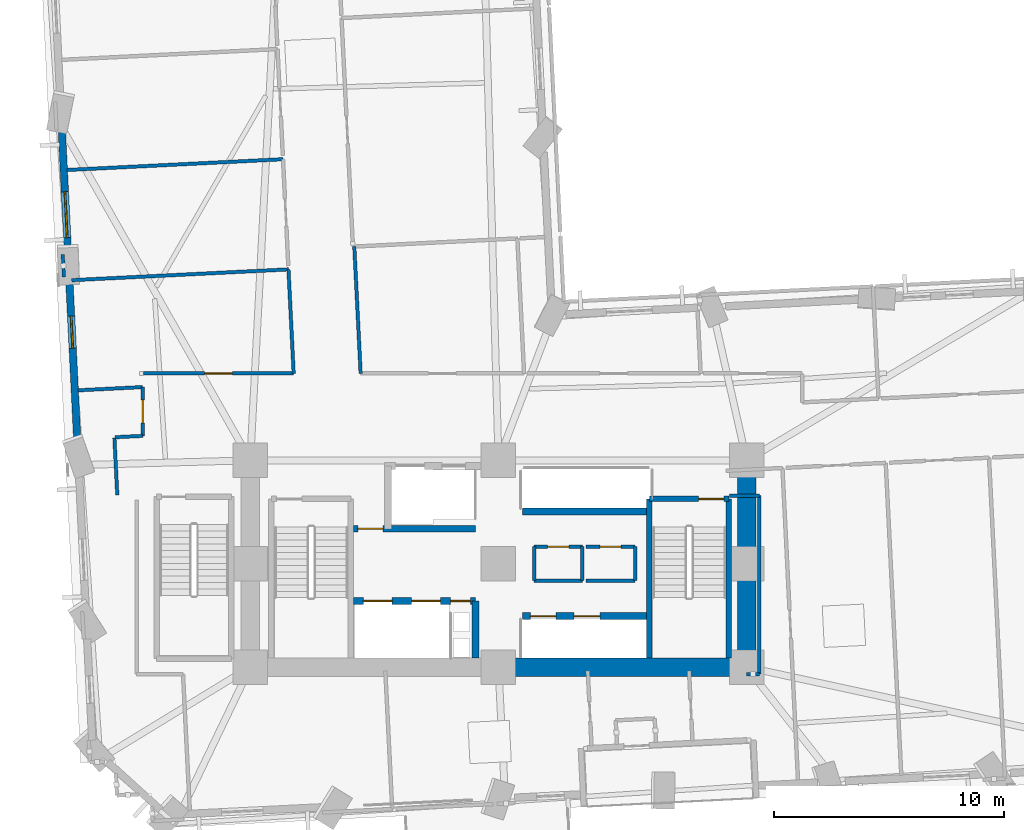
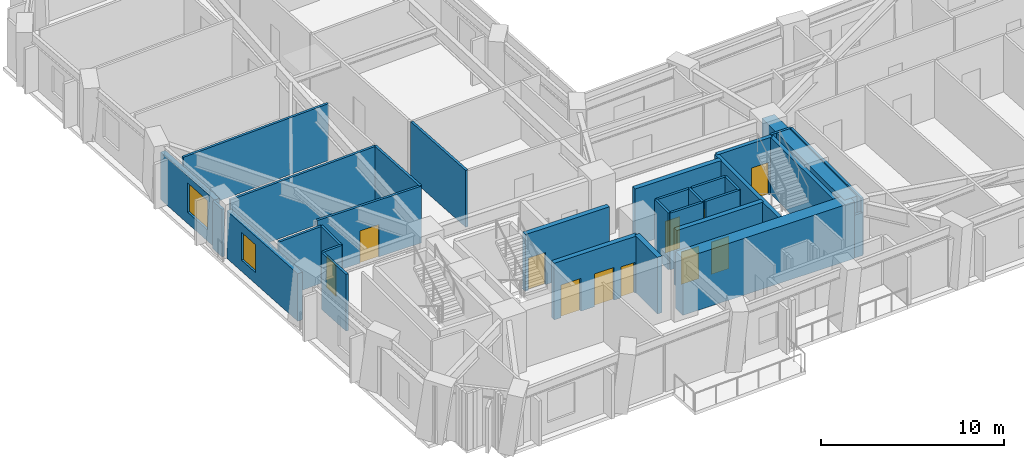
# One storey, part 7 of 15: 32 walls, 11 doors, 2 windows, 13 openings.
"""IFC4 building model written with IfcOpenShell, lengths in metres."""

from ifc_helpers import new_model, si_unit, direction, frame, frame_2d, origin, place, context, subcontext, project, spatial, rectangle, extrude, material, layer, layer_set, type_object, element, fill, save


model = new_model("IFC4")

# Units and contexts
model_context = context("Model", 3, precision=1e-05, world=origin(), true_north=direction((0.0, 1.0)))
body_context = subcontext(model_context, "Body", "Model", "MODEL_VIEW")
ifc_project = project(units=[si_unit("LENGTHUNIT", "METRE"), si_unit("AREAUNIT", "SQUARE_METRE"), si_unit("VOLUMEUNIT", "CUBIC_METRE"), si_unit("PLANEANGLEUNIT", "RADIAN"), si_unit("MASSUNIT", "GRAM", prefix="KILO")], contexts=[model_context])

# Site, building, storey
site_placement = place(None, origin())
site = spatial("IfcSite", under=ifc_project, at=site_placement, CompositionType="ELEMENT")
building_placement = place(site_placement, origin())
building = spatial("IfcBuilding", under=site, at=building_placement, Name="Gaonmaruhae Medical Tower", CompositionType="ELEMENT")
storey_placement = place(building_placement, frame((0.0, 0.0, 35.0)))
storey = spatial("IfcBuildingStorey", under=building, at=storey_placement, Name="L07", CompositionType="ELEMENT", Elevation=35.0)

# Walls
ifc_material_1 = material(Name="Concrete C60/75", Category="concrete")
ifc_layer_1 = layer(ifc_material_1, 0.800048828125)
ifc_layer_set_1 = layer_set([ifc_layer_1], Name="Concrete C60/75")
wall_type_1 = type_object("IfcWallType", Name="CW-800 Lower Core Shear Wall", PredefinedType="SHEAR", material=ifc_layer_set_1)
wall_1_placement = place(storey_placement, frame((24.800048828125, 7.800048828125, 0.0), z_axis=(0.0, 0.0, 1.0), x_axis=(1.0, 0.0, 0.0)))
element("IfcWall", 1, at=wall_1_placement, inside=storey, type_object=wall_type_1, Name="L07 Core Shear Wall CSW-S2", PredefinedType="SHEAR", context=body_context, shape_type="SweptSolid", body=[
    extrude(rectangle(XDim=10.800048828125, YDim=0.800048828125, at=frame_2d((5.39990234375, 0.0))), origin(), (0.0, 0.0, 1.0), 3.780029296875),
])
wall_2_placement = place(storey_placement, frame((35.60009765625, 7.800048828125, 0.0), z_axis=(0.0, 0.0, 1.0), x_axis=(0.0, 1.0, 0.0)))
element("IfcWall", 2, at=wall_2_placement, inside=storey, type_object=wall_type_1, Name="L07 Core Shear Wall CSW-E1", PredefinedType="SHEAR", context=body_context, shape_type="SweptSolid", body=[
    extrude(rectangle(XDim=9.0, YDim=0.800048828125, at=frame_2d((4.5, 0.0))), origin(), (0.0, 0.0, 1.0), 3.780029296875),
])

# Wall, opening, window
ifc_material_2 = material(Name="Precast concrete C45/55", Category="concrete")
ifc_layer_2 = layer(ifc_material_2, 0.320068359375)
ifc_layer_set_2 = layer_set([ifc_layer_2], Name="Precast concrete C45/55")
wall_type_2 = type_object("IfcWallType", Name="EW-320 Lower Precast Masonry-Frame Facade Wall", PredefinedType="SOLIDWALL", material=ifc_layer_set_2)
wall_3_placement = place(storey_placement, frame((6.068115234375, 25.76220703125, 0.0), z_axis=(0.0, 0.0, 1.0), x_axis=(-0.049742813076, 0.998762060026, 0.0)))
wall_3 = element("IfcWall", 3, at=wall_3_placement, inside=storey, type_object=wall_type_2, Name="L07 Precast Masonry-Frame Wall W03-W04", PredefinedType="SOLIDWALL", context=body_context, shape_type="SweptSolid", body=[
    extrude(rectangle(XDim=5.438232421875, YDim=0.320068359375, at=frame_2d((2.71923828125, 0.0))), origin(), (0.0, 0.0, 1.0), 3.1650390625),
])
opening_1_placement = place(wall_3_placement, frame((0.72998046875, 0.0, 0.75)))
opening_1 = element("IfcOpeningElement", 4, at=opening_1_placement, cuts=wall_3, Name="Opening WN-02", PredefinedType="OPENING", context=body_context, shape_type="SweptSolid", body=[
    extrude(rectangle(XDim=2.0, YDim=1.949951171875, at=frame_2d((1.0, 0.97509765625))), frame((0.0, 0.169921875, 0.0), z_axis=(0.0, -1.0, 0.0), x_axis=(1.0, 0.0, 0.0)), (0.0, 0.0, 1.0), 0.340087890625),
])
ifc_material_3 = material(Name="Anodised aluminium and Low-E double glazing", Category="aluminium")
window_type_1 = type_object("IfcWindowType", Name="WN-02 Double-Bed Ward Punched Window 2000x1950", PartitioningType="SINGLE_PANEL", PredefinedType="WINDOW", material=ifc_material_3)
window_1_placement = place(opening_1_placement, origin())
window_1 = element("IfcWindow", 5, at=window_1_placement, inside=storey, type_object=window_type_1, Name="L07 Modular Facade Window W03", OverallHeight=1.949951171875, OverallWidth=2.0, PartitioningType="SINGLE_PANEL", PredefinedType="WINDOW", context=body_context, shape_type="SweptSolid", body=[
    extrude(rectangle(XDim=2.0, YDim=1.949951171875, at=frame_2d((1.0, 0.97509765625))), frame((0.0, 0.030029296875, 0.0), z_axis=(0.0, -1.0, 0.0), x_axis=(1.0, 0.0, 0.0)), (0.0, 0.0, 1.0), 0.06005859375),
])
fill(opening_1, window_1)

wall_4_placement = place(storey_placement, frame((6.4833984375, 17.4208984375, 0.0), z_axis=(0.0, 0.0, 1.0), x_axis=(-0.049743098397, 0.998762045816, 0.0)))
wall_4 = element("IfcWall", 6, at=wall_4_placement, inside=storey, type_object=wall_type_2, Name="L07 Precast Masonry-Frame Wall W04-W05", PredefinedType="SOLIDWALL", context=body_context, shape_type="SweptSolid", body=[
    extrude(rectangle(XDim=7.13623046875, YDim=0.320068359375, at=frame_2d((3.568115234375, 0.0))), origin(), (0.0, 0.0, 1.0), 3.1650390625),
])
opening_2_placement = place(wall_4_placement, frame((4.263916015625, 0.0, 0.75)))
opening_2 = element("IfcOpeningElement", 7, at=opening_2_placement, cuts=wall_4, Name="Opening WN-03", PredefinedType="OPENING", context=body_context, shape_type="SweptSolid", body=[
    extrude(rectangle(XDim=1.39990234375, YDim=1.85009765625, at=frame_2d((0.699951171875, 0.925048828125))), frame((0.0, 0.169921875, 0.0), z_axis=(0.0, -1.0, 0.0), x_axis=(1.0, 0.0, 0.0)), (0.0, 0.0, 1.0), 0.340087890625),
])
window_type_2 = type_object("IfcWindowType", Name="WN-03 Isolation Ward Punched Window 1400x1850", PartitioningType="SINGLE_PANEL", PredefinedType="WINDOW", material=ifc_material_3)
window_2_placement = place(opening_2_placement, origin())
window_2 = element("IfcWindow", 8, at=window_2_placement, inside=storey, type_object=window_type_2, Name="L07 Modular Facade Window W04", OverallHeight=1.85009765625, OverallWidth=1.39990234375, PartitioningType="SINGLE_PANEL", PredefinedType="WINDOW", context=body_context, shape_type="SweptSolid", body=[
    extrude(rectangle(XDim=1.39990234375, YDim=1.85009765625, at=frame_2d((0.699951171875, 0.925048828125))), frame((0.0, 0.030029296875, 0.0), z_axis=(0.0, -1.0, 0.0), x_axis=(1.0, 0.0, 0.0)), (0.0, 0.0, 1.0), 0.06005859375),
])
fill(opening_2, window_2)

# Wall
ifc_material_4 = material(Name="Gypsum board partition", Category="gypsum")
ifc_layer_3 = layer(ifc_material_4, 0.14990234375)
ifc_layer_set_3 = layer_set([ifc_layer_3], Name="Gypsum board partition")
wall_type_3 = type_object("IfcWallType", Name="PW-150 Rated Clinical Corridor Partition", PredefinedType="PARTITIONING", material=ifc_layer_set_3)
wall_5_placement = place(storey_placement, frame((26.35009765625, 11.56005859375, 0.0), z_axis=(0.0, 0.0, 1.0), x_axis=(0.0, 1.0, 0.0)))
element("IfcWall", 9, at=wall_5_placement, inside=storey, type_object=wall_type_3, Name="L07 Interior Partition L07-CS1-1", PredefinedType="PARTITIONING", context=body_context, shape_type="SweptSolid", body=[
    extrude(rectangle(XDim=1.47998046875, YDim=0.14990234375, at=frame_2d((0.739990234375, 0.0))), origin(), (0.0, 0.0, 1.0), 3.780029296875),
])

# Wall, opening, door
wall_6_placement = place(storey_placement, frame((26.35009765625, 13.0400390625, 0.0), z_axis=(0.0, 0.0, 1.0), x_axis=(1.0, 0.0, 0.0)))
wall_6 = element("IfcWall", 10, at=wall_6_placement, inside=storey, type_object=wall_type_3, Name="L07 Interior Partition L07-CS1-2", PredefinedType="PARTITIONING", context=body_context, shape_type="SweptSolid", body=[
    extrude(rectangle(XDim=2.099853515625, YDim=0.14990234375, at=frame_2d((1.0498046875, 0.0))), origin(), (0.0, 0.0, 1.0), 3.780029296875),
])
opening_3_placement = place(wall_6_placement, frame((0.590087890625, 0.0, 0.0)))
opening_3 = element("IfcOpeningElement", 11, at=opening_3_placement, cuts=wall_6, Name="Opening UD-01", PredefinedType="OPENING", context=body_context, shape_type="SweptSolid", body=[
    extrude(rectangle(XDim=0.919921875, YDim=2.10009765625, at=frame_2d((0.4599609375, 1.050048828125))), frame((0.0, 0.0849609375, 0.0), z_axis=(0.0, -1.0, 0.0), x_axis=(1.0, 0.0, 0.0)), (0.0, 0.0, 1.0), 0.169921875),
])
ifc_material_5 = material(Name="Powder-coated steel utility door", Category="steel")
door_type_1 = type_object("IfcDoorType", Name="UD-01 Toilet, Utility & Housekeeping Door 920x2100", OperationType="NOTDEFINED", PredefinedType="DOOR", material=ifc_material_5)
door_1_placement = place(opening_3_placement, origin())
door_1 = element("IfcDoor", 12, at=door_1_placement, inside=storey, type_object=door_type_1, Name="L07 Accessible Staff Toilet Door", OperationType="SINGLE_SWING_LEFT", OverallHeight=2.10009765625, OverallWidth=0.919921875, PredefinedType="DOOR", context=body_context, shape_type="SweptSolid", body=[
    extrude(rectangle(XDim=0.919921875, YDim=2.10009765625, at=frame_2d((0.4599609375, 1.050048828125))), frame((0.0, 0.02490234375, 0.0), z_axis=(0.0, -1.0, 0.0), x_axis=(1.0, 0.0, 0.0)), (0.0, 0.0, 1.0), 0.050048828125),
])
fill(opening_3, door_1)

# Walls
wall_7_placement = place(storey_placement, frame((28.449951171875, 13.0400390625, 0.0), z_axis=(0.0, 0.0, 1.0), x_axis=(0.0, -1.0, 0.0)))
element("IfcWall", 13, at=wall_7_placement, inside=storey, type_object=wall_type_3, Name="L07 Interior Partition L07-CS1-3", PredefinedType="PARTITIONING", context=body_context, shape_type="SweptSolid", body=[
    extrude(rectangle(XDim=1.47998046875, YDim=0.14990234375, at=frame_2d((0.739990234375, 0.0))), origin(), (0.0, 0.0, 1.0), 3.780029296875),
])
wall_8_placement = place(storey_placement, frame((28.449951171875, 11.56005859375, 0.0), z_axis=(0.0, 0.0, 1.0), x_axis=(-1.0, 0.0, 0.0)))
element("IfcWall", 14, at=wall_8_placement, inside=storey, type_object=wall_type_3, Name="L07 Interior Partition L07-CS1-4", PredefinedType="PARTITIONING", context=body_context, shape_type="SweptSolid", body=[
    extrude(rectangle(XDim=2.099853515625, YDim=0.14990234375, at=frame_2d((1.0498046875, 0.0))), origin(), (0.0, 0.0, 1.0), 3.780029296875),
])

# Wall, opening, door
wall_9_placement = place(storey_placement, frame((28.60009765625, 13.0400390625, 0.0), z_axis=(0.0, 0.0, 1.0), x_axis=(1.0, 0.0, 0.0)))
wall_9 = element("IfcWall", 15, at=wall_9_placement, inside=storey, type_object=wall_type_3, Name="L07 Interior Partition L07-CS2-5", PredefinedType="PARTITIONING", context=body_context, shape_type="SweptSolid", body=[
    extrude(rectangle(XDim=2.14990234375, YDim=0.14990234375, at=frame_2d((1.074951171875, 0.0))), origin(), (0.0, 0.0, 1.0), 3.780029296875),
])
opening_4_placement = place(wall_9_placement, frame((0.614990234375, 0.0, 0.0)))
opening_4 = element("IfcOpeningElement", 16, at=opening_4_placement, cuts=wall_9, Name="Opening UD-01", PredefinedType="OPENING", context=body_context, shape_type="SweptSolid", body=[
    extrude(rectangle(XDim=0.919921875, YDim=2.10009765625, at=frame_2d((0.4599609375, 1.050048828125))), frame((0.0, 0.0849609375, 0.0), z_axis=(0.0, -1.0, 0.0), x_axis=(1.0, 0.0, 0.0)), (0.0, 0.0, 1.0), 0.169921875),
])
door_2_placement = place(opening_4_placement, origin())
door_2 = element("IfcDoor", 17, at=door_2_placement, inside=storey, type_object=door_type_1, Name="L07 Biomedical Telemetry Closet Door", OperationType="SINGLE_SWING_RIGHT", OverallHeight=2.10009765625, OverallWidth=0.919921875, PredefinedType="DOOR", context=body_context, shape_type="SweptSolid", body=[
    extrude(rectangle(XDim=0.919921875, YDim=2.10009765625, at=frame_2d((0.4599609375, 1.050048828125))), frame((0.0, 0.02490234375, 0.0), z_axis=(0.0, -1.0, 0.0), x_axis=(1.0, 0.0, 0.0)), (0.0, 0.0, 1.0), 0.050048828125),
])
fill(opening_4, door_2)

# Walls
wall_10_placement = place(storey_placement, frame((30.75, 13.0400390625, 0.0), z_axis=(0.0, 0.0, 1.0), x_axis=(0.0, -1.0, 0.0)))
element("IfcWall", 18, at=wall_10_placement, inside=storey, type_object=wall_type_3, Name="L07 Interior Partition L07-CS2-6", PredefinedType="PARTITIONING", context=body_context, shape_type="SweptSolid", body=[
    extrude(rectangle(XDim=1.47998046875, YDim=0.14990234375, at=frame_2d((0.739990234375, 0.0))), origin(), (0.0, 0.0, 1.0), 3.780029296875),
])
wall_11_placement = place(storey_placement, frame((30.75, 11.56005859375, 0.0), z_axis=(0.0, 0.0, 1.0), x_axis=(-1.0, 0.0, 0.0)))
element("IfcWall", 19, at=wall_11_placement, inside=storey, type_object=wall_type_3, Name="L07 Interior Partition L07-CS2-7", PredefinedType="PARTITIONING", context=body_context, shape_type="SweptSolid", body=[
    extrude(rectangle(XDim=2.14990234375, YDim=0.14990234375, at=frame_2d((1.074951171875, 0.0))), origin(), (0.0, 0.0, 1.0), 3.780029296875),
])
wall_12_placement = place(storey_placement, frame((35.60009765625, 7.5, 0.0), z_axis=(0.0, 0.0, 1.0), x_axis=(1.0, 0.0, 0.0)))
element("IfcWall", 20, at=wall_12_placement, inside=storey, type_object=wall_type_3, Name="L07 Interior Partition L07-TRM07-30", PredefinedType="PARTITIONING", context=body_context, shape_type="SweptSolid", body=[
    extrude(rectangle(XDim=0.5498046875, YDim=0.14990234375, at=frame_2d((0.27490234375, 0.0))), origin(), (0.0, 0.0, 1.0), 2.864990234375),
])
wall_13_placement = place(storey_placement, frame((36.14990234375, 7.5, 0.0), z_axis=(0.0, 0.0, 1.0), x_axis=(0.0, 1.0, 0.0)))
element("IfcWall", 21, at=wall_13_placement, inside=storey, type_object=wall_type_3, Name="L07 Interior Partition L07-TRM07-31", PredefinedType="PARTITIONING", context=body_context, shape_type="SweptSolid", body=[
    extrude(rectangle(XDim=7.760009765625, YDim=0.14990234375, at=frame_2d((3.8798828125, 0.0))), origin(), (0.0, 0.0, 1.0), 3.780029296875),
])
wall_14_placement = place(storey_placement, frame((36.14990234375, 15.260009765625, 0.0), z_axis=(0.0, 0.0, 1.0), x_axis=(-1.0, 0.0, 0.0)))
element("IfcWall", 22, at=wall_14_placement, inside=storey, type_object=wall_type_3, Name="L07 Interior Partition L07-TRM07-32", PredefinedType="PARTITIONING", context=body_context, shape_type="SweptSolid", body=[
    extrude(rectangle(XDim=1.2998046875, YDim=0.14990234375, at=frame_2d((0.64990234375, 0.0))), origin(), (0.0, 0.0, 1.0), 3.780029296875),
])
wall_15_placement = place(storey_placement, frame((8.087890625, 17.77294921875, 0.0), z_axis=(0.0, 0.0, 1.0), x_axis=(0.049805589203, -0.998758931517, 0.0)))
element("IfcWall", 23, at=wall_15_placement, inside=storey, type_object=wall_type_3, Name="L07 Interior Partition L07-WOF13-50", PredefinedType="PARTITIONING", context=body_context, shape_type="SweptSolid", body=[
    extrude(rectangle(XDim=2.490234375, YDim=0.14990234375, at=frame_2d((1.2451171875, 0.0))), origin(), (0.0, 0.0, 1.0), 3.780029296875),
])
wall_16_placement = place(storey_placement, frame((6.498046875, 19.845947265625, 0.0), z_axis=(0.0, 0.0, 1.0), x_axis=(0.998752123395, 0.049941926406, 0.0)))
element("IfcWall", 24, at=wall_16_placement, inside=storey, type_object=wall_type_3, Name="L07 Interior Partition L07-WOF13-52", PredefinedType="PARTITIONING", context=body_context, shape_type="SweptSolid", body=[
    extrude(rectangle(XDim=2.825439453125, YDim=0.14990234375, at=frame_2d((1.41259765625, 0.0))), origin(), (0.0, 0.0, 1.0), 3.780029296875),
])

# Wall, opening, door
wall_17_placement = place(storey_placement, frame((9.320068359375, 19.987060546875, 0.0), z_axis=(0.0, 0.0, 1.0), x_axis=(0.0, -1.0, 0.0)))
wall_17 = element("IfcWall", 25, at=wall_17_placement, inside=storey, type_object=wall_type_3, Name="L07 Interior Partition L07-WOF13-53", PredefinedType="PARTITIONING", context=body_context, shape_type="SweptSolid", body=[
    extrude(rectangle(XDim=2.123046875, YDim=0.14990234375, at=frame_2d((1.0615234375, 0.0))), origin(), (0.0, 0.0, 1.0), 3.780029296875),
])
opening_5_placement = place(wall_17_placement, frame((0.5615234375, 0.0, 0.0)))
opening_5 = element("IfcOpeningElement", 26, at=opening_5_placement, cuts=wall_17, Name="Opening CD-01", PredefinedType="OPENING", context=body_context, shape_type="SweptSolid", body=[
    extrude(rectangle(XDim=1.0, YDim=2.1201171875, at=frame_2d((0.5, 1.06005859375))), frame((0.0, 0.0849609375, 0.0), z_axis=(0.0, -1.0, 0.0), x_axis=(1.0, 0.0, 0.0)), (0.0, 0.0, 1.0), 0.169921875),
])
ifc_material_6 = material(Name="Antimicrobial laminate timber fire door", Category="wood")
door_type_2 = type_object("IfcDoorType", Name="CD-01 Consultation & Physician Office Door 1000x2120", OperationType="NOTDEFINED", PredefinedType="DOOR", material=ifc_material_6)
door_3_placement = place(opening_5_placement, origin())
door_3 = element("IfcDoor", 27, at=door_3_placement, inside=storey, type_object=door_type_2, Name="L07 Ward Physician Reporting Office Door", OperationType="SINGLE_SWING_LEFT", OverallHeight=2.1201171875, OverallWidth=1.0, PredefinedType="DOOR", context=body_context, shape_type="SweptSolid", body=[
    extrude(rectangle(XDim=1.0, YDim=2.1201171875, at=frame_2d((0.5, 1.06005859375))), frame((0.0, 0.02490234375, 0.0), z_axis=(0.0, -1.0, 0.0), x_axis=(1.0, 0.0, 0.0)), (0.0, 0.0, 1.0), 0.050048828125),
])
fill(opening_5, door_3)

# Walls
wall_18_placement = place(storey_placement, frame((9.320068359375, 17.864013671875, 0.0), z_axis=(0.0, 0.0, 1.0), x_axis=(-0.998764400305, -0.049695801471, 0.0)))
element("IfcWall", 28, at=wall_18_placement, inside=storey, type_object=wall_type_3, Name="L07 Interior Partition L07-WOF13-54", PredefinedType="PARTITIONING", context=body_context, shape_type="SweptSolid", body=[
    extrude(rectangle(XDim=1.20849609375, YDim=0.14990234375, at=frame_2d((0.604248046875, 0.0))), origin(), (0.0, 0.0, 1.0), 3.780029296875),
])
wall_19_placement = place(storey_placement, frame((6.22900390625, 24.638916015625, 0.0), z_axis=(0.0, 0.0, 1.0), x_axis=(0.998761218764, 0.049759701489, 0.0)))
element("IfcWall", 29, at=wall_19_placement, inside=storey, type_object=wall_type_3, Name="L07 Interior Partition L07-WOF14-55", PredefinedType="PARTITIONING", context=body_context, shape_type="SweptSolid", body=[
    extrude(rectangle(XDim=9.44482421875, YDim=0.14990234375, at=frame_2d((4.722412109375, 0.0))), origin(), (0.0, 0.0, 1.0), 3.780029296875),
])
wall_20_placement = place(storey_placement, frame((15.662109375, 25.10888671875, 0.0), z_axis=(0.0, 0.0, 1.0), x_axis=(0.049803348518, -0.998759043251, 0.0)))
element("IfcWall", 30, at=wall_20_placement, inside=storey, type_object=wall_type_3, Name="L07 Interior Partition L07-WOF14-56", PredefinedType="PARTITIONING", context=body_context, shape_type="SweptSolid", body=[
    extrude(rectangle(XDim=4.534423828125, YDim=0.14990234375, at=frame_2d((2.26708984375, 0.0))), origin(), (0.0, 0.0, 1.0), 3.780029296875),
])

# Wall, opening, door
wall_21_placement = place(storey_placement, frame((15.887939453125, 20.580078125, 0.0), z_axis=(0.0, 0.0, 1.0), x_axis=(-1.0, 0.0, 0.0)))
wall_21 = element("IfcWall", 31, at=wall_21_placement, inside=storey, type_object=wall_type_3, Name="L07 Interior Partition L07-WOF14-57", PredefinedType="PARTITIONING", context=body_context, shape_type="SweptSolid", body=[
    extrude(rectangle(XDim=6.541015625, YDim=0.14990234375, at=frame_2d((3.2705078125, 0.0))), origin(), (0.0, 0.0, 1.0), 3.780029296875),
])
opening_6_placement = place(wall_21_placement, frame((2.67041015625, 0.0, 0.0)))
opening_6 = element("IfcOpeningElement", 32, at=opening_6_placement, cuts=wall_21, Name="Opening CD-02", PredefinedType="OPENING", context=body_context, shape_type="SweptSolid", body=[
    extrude(rectangle(XDim=1.199951171875, YDim=2.14990234375, at=frame_2d((0.60009765625, 1.074951171875))), frame((0.0, 0.0849609375, 0.0), z_axis=(0.0, -1.0, 0.0), x_axis=(1.0, 0.0, 0.0)), (0.0, 0.0, 1.0), 0.169921875),
])
door_type_3 = type_object("IfcDoorType", Name="CD-02 Clinical Treatment & Procedure Door 1200x2150", OperationType="NOTDEFINED", PredefinedType="DOOR", material=ifc_material_6)
door_4_placement = place(opening_6_placement, origin())
door_4 = element("IfcDoor", 33, at=door_4_placement, inside=storey, type_object=door_type_3, Name="L07 Ward Physician Reporting Office Door", OperationType="SINGLE_SWING_RIGHT", OverallHeight=2.14990234375, OverallWidth=1.199951171875, PredefinedType="DOOR", context=body_context, shape_type="SweptSolid", body=[
    extrude(rectangle(XDim=1.199951171875, YDim=2.14990234375, at=frame_2d((0.60009765625, 1.074951171875))), frame((0.0, 0.02490234375, 0.0), z_axis=(0.0, -1.0, 0.0), x_axis=(1.0, 0.0, 0.0)), (0.0, 0.0, 1.0), 0.050048828125),
])
fill(opening_6, door_4)

# Walls
wall_22_placement = place(storey_placement, frame((6.02001953125, 29.43408203125, 0.0), z_axis=(0.0, 0.0, 1.0), x_axis=(0.998758732093, 0.049809588108, 0.0)))
element("IfcWall", 34, at=wall_22_placement, inside=storey, type_object=wall_type_3, Name="L07 Interior Partition L07-WOF15-58", PredefinedType="PARTITIONING", context=body_context, shape_type="SweptSolid", body=[
    extrude(rectangle(XDim=9.415771484375, YDim=0.14990234375, at=frame_2d((4.7080078125, 0.0))), origin(), (0.0, 0.0, 1.0), 3.780029296875),
])
wall_23_placement = place(storey_placement, frame((5.886962890625, 24.781982421875, 0.0), z_axis=(0.0, 0.0, 1.0), x_axis=(-0.049322612311, 0.99878289929, 0.0)))
element("IfcWall", 35, at=wall_23_placement, inside=storey, type_object=wall_type_3, Name="L07 Interior Partition L07-WOF15-60", PredefinedType="PARTITIONING", context=body_context, shape_type="SweptSolid", body=[
    extrude(rectangle(XDim=0.97021484375, YDim=0.14990234375, at=frame_2d((0.485107421875, 0.0))), origin(), (0.0, 0.0, 1.0), 3.1650390625),
])
wall_24_placement = place(storey_placement, frame((18.802001953125, 20.580078125, 0.0), z_axis=(0.0, 0.0, 1.0), x_axis=(-0.049721781713, 0.99876310726, 0.0)))
element("IfcWall", 36, at=wall_24_placement, inside=storey, type_object=wall_type_3, Name="L07 Interior Partition L07-IE01-78", PredefinedType="PARTITIONING", context=body_context, shape_type="SweptSolid", body=[
    extrude(rectangle(XDim=5.52880859375, YDim=0.14990234375, at=frame_2d((2.764404296875, 0.0))), origin(), (0.0, 0.0, 1.0), 3.780029296875),
])

# Wall, opening, door
ifc_material_7 = material(Name="Concrete C50/60", Category="concrete")
ifc_layer_4 = layer(ifc_material_7, 0.239990234375)
ifc_layer_set_4 = layer_set([ifc_layer_4], Name="Concrete C50/60")
wall_type_4 = type_object("IfcWallType", Name="SW-240 Dogleg Stair Tight Shaft Wall", PredefinedType="SOLIDWALL", material=ifc_layer_set_4)
wall_25_placement = place(storey_placement, frame((31.3701171875, 15.1201171875, 0.0), z_axis=(0.0, 0.0, 1.0), x_axis=(1.0, 0.0, 0.0)))
wall_25 = element("IfcWall", 37, at=wall_25_placement, inside=storey, type_object=wall_type_4, Name="L07 ST-02 Stair Shaft Wall SHW-ST-02-N", PredefinedType="SOLIDWALL", context=body_context, shape_type="SweptSolid", body=[
    extrude(rectangle(XDim=3.4599609375, YDim=0.239990234375, at=frame_2d((1.72998046875, 0.0))), origin(), (0.0, 0.0, 1.0), 3.780029296875),
])
opening_7_placement = place(wall_25_placement, frame((2.139892578125, 0.0, 0.0)))
opening_7 = element("IfcOpeningElement", 38, at=opening_7_placement, cuts=wall_25, Name="Opening FD-01", PredefinedType="OPENING", context=body_context, shape_type="SweptSolid", body=[
    extrude(rectangle(XDim=1.10009765625, YDim=2.14990234375, at=frame_2d((0.550048828125, 1.074951171875))), frame((0.0, 0.1298828125, 0.0), z_axis=(0.0, -1.0, 0.0), x_axis=(1.0, 0.0, 0.0)), (0.0, 0.0, 1.0), 0.260009765625),
])
ifc_material_8 = material(Name="Powder-coated steel fire door", Category="steel")
door_type_4 = type_object("IfcDoorType", Name="FD-01 Escape Stair Protected Fire Door 1100x2150", OperationType="NOTDEFINED", PredefinedType="DOOR", material=ifc_material_8)
door_5_placement = place(opening_7_placement, origin())
door_5 = element("IfcDoor", 39, at=door_5_placement, inside=storey, type_object=door_type_4, Name="L07 ST-02 Protected Escape Stair Door", OperationType="SINGLE_SWING_LEFT", OverallHeight=2.14990234375, OverallWidth=1.10009765625, PredefinedType="DOOR", context=body_context, shape_type="SweptSolid", body=[
    extrude(rectangle(XDim=1.10009765625, YDim=2.14990234375, at=frame_2d((0.550048828125, 1.074951171875))), frame((0.0, 0.02490234375, 0.0), z_axis=(0.0, -1.0, 0.0), x_axis=(1.0, 0.0, 0.0)), (0.0, 0.0, 1.0), 0.050048828125),
])
fill(opening_7, door_5)

# Walls
for number, where, z_axis, x_axis, name in (
    (40, (34.830078125, 15.1201171875, 0.0), (0.0, 0.0, 1.0), (0.0, -1.0, 0.0), "L07 ST-02 Stair Shaft Wall SHW-ST-02-E"),
    (41, (31.3701171875, 8.199951171875, 0.0), (0.0, 0.0, 1.0), (0.0, 1.0, 0.0), "L07 ST-02 Stair Shaft Wall SHW-ST-02-W"),
):
    element("IfcWall", number, at=place(storey_placement, frame(where, z_axis=z_axis, x_axis=x_axis)), inside=storey, type_object=wall_type_4, Name=name, PredefinedType="SOLIDWALL", context=body_context, shape_type="SweptSolid", body=[
        extrude(rectangle(XDim=6.920166015625, YDim=0.239990234375, at=frame_2d((3.4599609375, 0.0))), origin(), (0.0, 0.0, 1.0), 3.780029296875),
    ])

# Wall, openings, doors
ifc_layer_5 = layer(ifc_material_7, 0.300048828125)
ifc_layer_set_5 = layer_set([ifc_layer_5], Name="Concrete C50/60")
wall_type_5 = type_object("IfcWallType", Name="SW-300 Stair & Lift Hoistway Shaft Wall", PredefinedType="SOLIDWALL", material=ifc_layer_set_5)
wall_26_placement = place(storey_placement, frame((18.5, 10.679931640625, 0.0), z_axis=(0.0, 0.0, 1.0), x_axis=(1.0, 0.0, 0.0)))
wall_26 = element("IfcWall", 42, at=wall_26_placement, inside=storey, type_object=wall_type_5, Name="L07 Shaft Enclosure Wall SHW-FFN", PredefinedType="SOLIDWALL", context=body_context, shape_type="SweptSolid", body=[
    extrude(rectangle(XDim=5.300048828125, YDim=0.300048828125, at=frame_2d((2.64990234375, 0.0))), origin(), (0.0, 0.0, 1.0), 3.780029296875),
])
opening_8_placement = place(wall_26_placement, frame((4.219970703125, 0.0, 0.0)))
opening_8 = element("IfcOpeningElement", 43, at=opening_8_placement, cuts=wall_26, Name="Opening AD-01", PredefinedType="OPENING", context=body_context, shape_type="SweptSolid", body=[
    extrude(rectangle(XDim=0.860107421875, YDim=2.06005859375, at=frame_2d((0.43017578125, 1.030029296875))), frame((0.0, 0.16015625, 0.0), z_axis=(0.0, -1.0, 0.0), x_axis=(1.0, 0.0, 0.0)), (0.0, 0.0, 1.0), 0.320068359375),
])
opening_9_placement = place(wall_26_placement, frame((0.425048828125, 0.0, 0.0)))
opening_9 = element("IfcOpeningElement", 44, at=opening_9_placement, cuts=wall_26, Name="Opening LD-F1", PredefinedType="OPENING", context=body_context, shape_type="SweptSolid", body=[
    extrude(rectangle(XDim=1.25, YDim=2.179931640625, at=frame_2d((0.625, 1.08984375))), frame((0.0, 0.16015625, 0.0), z_axis=(0.0, -1.0, 0.0), x_axis=(1.0, 0.0, 0.0)), (0.0, 0.0, 1.0), 0.320068359375),
])
opening_10_placement = place(wall_26_placement, frame((2.52490234375, 0.0, 0.0)))
opening_10 = element("IfcOpeningElement", 45, at=opening_10_placement, cuts=wall_26, Name="Opening LD-F1", PredefinedType="OPENING", context=body_context, shape_type="SweptSolid", body=[
    extrude(rectangle(XDim=1.25, YDim=2.179931640625, at=frame_2d((0.625, 1.08984375))), frame((0.0, 0.16015625, 0.0), z_axis=(0.0, -1.0, 0.0), x_axis=(1.0, 0.0, 0.0)), (0.0, 0.0, 1.0), 0.320068359375),
])
ifc_material_9 = material(Name="Powder-coated steel access door", Category="steel")
door_type_5 = type_object("IfcDoorType", Name="AD-01 Riser & Closet Access Fire Door 860x2060", OperationType="NOTDEFINED", PredefinedType="DOOR", material=ifc_material_9)
door_6_placement = place(opening_8_placement, origin())
door_6 = element("IfcDoor", 46, at=door_6_placement, inside=storey, type_object=door_type_5, Name="L07 Medical Gas and MEP Riser Access Door", OperationType="SINGLE_SWING_RIGHT", OverallHeight=2.06005859375, OverallWidth=0.860107421875, PredefinedType="DOOR", context=body_context, shape_type="SweptSolid", body=[
    extrude(rectangle(XDim=0.860107421875, YDim=2.06005859375, at=frame_2d((0.43017578125, 1.030029296875))), frame((0.0, 0.02490234375, 0.0), z_axis=(0.0, -1.0, 0.0), x_axis=(1.0, 0.0, 0.0)), (0.0, 0.0, 1.0), 0.050048828125),
])
fill(opening_8, door_6)
ifc_material_10 = material(Name="Brushed stainless steel 316L landing door", Category="steel")
door_type_6 = type_object("IfcDoorType", Name="LD-F1 Firefighting & Bed Lift Sliding Landing Door 1250x2180", OperationType="NOTDEFINED", PredefinedType="DOOR", material=ifc_material_10)
door_7_placement = place(opening_9_placement, origin())
door_7 = element("IfcDoor", 47, at=door_7_placement, inside=storey, type_object=door_type_6, Name="L07 Firefighting Lift Landing Door FFL-01", OperationType="DOUBLE_DOOR_SLIDING", OverallHeight=2.179931640625, OverallWidth=1.25, PredefinedType="DOOR", context=body_context, shape_type="SweptSolid", body=[
    extrude(rectangle(XDim=1.25, YDim=2.179931640625, at=frame_2d((0.625, 1.08984375))), frame((0.0, 0.02490234375, 0.0), z_axis=(0.0, -1.0, 0.0), x_axis=(1.0, 0.0, 0.0)), (0.0, 0.0, 1.0), 0.050048828125),
])
fill(opening_9, door_7)
door_8_placement = place(opening_10_placement, origin())
door_8 = element("IfcDoor", 48, at=door_8_placement, inside=storey, type_object=door_type_6, Name="L07 Firefighting Lift Landing Door FFL-02", OperationType="DOUBLE_DOOR_SLIDING", OverallHeight=2.179931640625, OverallWidth=1.25, PredefinedType="DOOR", context=body_context, shape_type="SweptSolid", body=[
    extrude(rectangle(XDim=1.25, YDim=2.179931640625, at=frame_2d((0.625, 1.08984375))), frame((0.0, 0.02490234375, 0.0), z_axis=(0.0, -1.0, 0.0), x_axis=(1.0, 0.0, 0.0)), (0.0, 0.0, 1.0), 0.050048828125),
])
fill(opening_10, door_8)

# Wall, opening, door
wall_27_placement = place(storey_placement, frame((18.5, 13.820068359375, 0.0), z_axis=(0.0, 0.0, 1.0), x_axis=(1.0, 0.0, 0.0)))
wall_27 = element("IfcWall", 49, at=wall_27_placement, inside=storey, type_object=wall_type_5, Name="L07 Shaft Enclosure Wall SHW-FFL", PredefinedType="SOLIDWALL", context=body_context, shape_type="SweptSolid", body=[
    extrude(rectangle(XDim=5.300048828125, YDim=0.300048828125, at=frame_2d((2.64990234375, 0.0))), origin(), (0.0, 0.0, 1.0), 3.780029296875),
])
opening_11_placement = place(wall_27_placement, frame((0.179931640625, 0.0, 0.0)))
opening_11 = element("IfcOpeningElement", 50, at=opening_11_placement, cuts=wall_27, Name="Opening FD-01", PredefinedType="OPENING", context=body_context, shape_type="SweptSolid", body=[
    extrude(rectangle(XDim=1.10009765625, YDim=2.14990234375, at=frame_2d((0.550048828125, 1.074951171875))), frame((0.0, 0.16015625, 0.0), z_axis=(0.0, -1.0, 0.0), x_axis=(1.0, 0.0, 0.0)), (0.0, 0.0, 1.0), 0.320068359375),
])
door_9_placement = place(opening_11_placement, origin())
door_9 = element("IfcDoor", 51, at=door_9_placement, inside=storey, type_object=door_type_4, Name="L07 Firefighting Lobby Smoke Door", OperationType="SINGLE_SWING_LEFT", OverallHeight=2.14990234375, OverallWidth=1.10009765625, PredefinedType="DOOR", context=body_context, shape_type="SweptSolid", body=[
    extrude(rectangle(XDim=1.10009765625, YDim=2.14990234375, at=frame_2d((0.550048828125, 1.074951171875))), frame((0.0, 0.02490234375, 0.0), z_axis=(0.0, -1.0, 0.0), x_axis=(1.0, 0.0, 0.0)), (0.0, 0.0, 1.0), 0.050048828125),
])
fill(opening_11, door_9)

# Wall
wall_28_placement = place(storey_placement, frame((23.800048828125, 8.199951171875, 0.0), z_axis=(0.0, 0.0, 1.0), x_axis=(0.0, 1.0, 0.0)))
element("IfcWall", 52, at=wall_28_placement, inside=storey, type_object=wall_type_5, Name="L07 Shaft Enclosure Wall SHW-FFE", PredefinedType="SOLIDWALL", context=body_context, shape_type="SweptSolid", body=[
    extrude(rectangle(XDim=2.47998046875, YDim=0.300048828125, at=frame_2d((1.239990234375, 0.0))), origin(), (0.0, 0.0, 1.0), 3.780029296875),
])

# Wall, openings, doors
wall_29_placement = place(storey_placement, frame((25.85009765625, 10.02001953125, 0.0), z_axis=(0.0, 0.0, 1.0), x_axis=(1.0, 0.0, 0.0)))
wall_29 = element("IfcWall", 53, at=wall_29_placement, inside=storey, type_object=wall_type_5, Name="L07 Shaft Enclosure Wall SHW-PLS", PredefinedType="SOLIDWALL", context=body_context, shape_type="SweptSolid", body=[
    extrude(rectangle(XDim=5.449951171875, YDim=0.300048828125, at=frame_2d((2.72509765625, 0.0))), origin(), (0.0, 0.0, 1.0), 3.780029296875),
])
opening_12_placement = place(wall_29_placement, frame((0.340087890625, 0.0, 0.0)))
opening_12 = element("IfcOpeningElement", 54, at=opening_12_placement, cuts=wall_29, Name="Opening LD-P1", PredefinedType="OPENING", context=body_context, shape_type="SweptSolid", body=[
    extrude(rectangle(XDim=1.1201171875, YDim=2.14990234375, at=frame_2d((0.56005859375, 1.074951171875))), frame((0.0, 0.16015625, 0.0), z_axis=(0.0, -1.0, 0.0), x_axis=(1.0, 0.0, 0.0)), (0.0, 0.0, 1.0), 0.320068359375),
])
opening_13_placement = place(wall_29_placement, frame((2.239990234375, 0.0, 0.0)))
opening_13 = element("IfcOpeningElement", 55, at=opening_13_placement, cuts=wall_29, Name="Opening LD-P1", PredefinedType="OPENING", context=body_context, shape_type="SweptSolid", body=[
    extrude(rectangle(XDim=1.1201171875, YDim=2.14990234375, at=frame_2d((0.56005859375, 1.074951171875))), frame((0.0, 0.16015625, 0.0), z_axis=(0.0, -1.0, 0.0), x_axis=(1.0, 0.0, 0.0)), (0.0, 0.0, 1.0), 0.320068359375),
])
ifc_material_11 = material(Name="Brushed stainless steel 304 landing door", Category="steel")
door_type_7 = type_object("IfcDoorType", Name="LD-P1 Passenger Lift Sliding Landing Door 1120x2150", OperationType="NOTDEFINED", PredefinedType="DOOR", material=ifc_material_11)
door_10_placement = place(opening_12_placement, origin())
door_10 = element("IfcDoor", 56, at=door_10_placement, inside=storey, type_object=door_type_7, Name="L07 Passenger Lift Landing Door PL-L1", OperationType="DOUBLE_DOOR_SLIDING", OverallHeight=2.14990234375, OverallWidth=1.1201171875, PredefinedType="DOOR", context=body_context, shape_type="SweptSolid", body=[
    extrude(rectangle(XDim=1.1201171875, YDim=2.14990234375, at=frame_2d((0.56005859375, 1.074951171875))), frame((0.0, 0.02490234375, 0.0), z_axis=(0.0, -1.0, 0.0), x_axis=(1.0, 0.0, 0.0)), (0.0, 0.0, 1.0), 0.050048828125),
])
fill(opening_12, door_10)
door_11_placement = place(opening_13_placement, origin())
door_11 = element("IfcDoor", 57, at=door_11_placement, inside=storey, type_object=door_type_7, Name="L07 Passenger Lift Landing Door PL-L2", OperationType="DOUBLE_DOOR_SLIDING", OverallHeight=2.14990234375, OverallWidth=1.1201171875, PredefinedType="DOOR", context=body_context, shape_type="SweptSolid", body=[
    extrude(rectangle(XDim=1.1201171875, YDim=2.14990234375, at=frame_2d((0.56005859375, 1.074951171875))), frame((0.0, 0.02490234375, 0.0), z_axis=(0.0, -1.0, 0.0), x_axis=(1.0, 0.0, 0.0)), (0.0, 0.0, 1.0), 0.050048828125),
])
fill(opening_13, door_11)

# Wall
wall_30_placement = place(storey_placement, frame((25.85009765625, 14.580078125, 0.0), z_axis=(0.0, 0.0, 1.0), x_axis=(1.0, 0.0, 0.0)))
element("IfcWall", 58, at=wall_30_placement, inside=storey, type_object=wall_type_5, Name="L07 Shaft Enclosure Wall SHW-PLN", PredefinedType="SOLIDWALL", context=body_context, shape_type="SweptSolid", body=[
    extrude(rectangle(XDim=5.449951171875, YDim=0.300048828125, at=frame_2d((2.72509765625, 0.0))), origin(), (0.0, 0.0, 1.0), 3.780029296875),
])

save(model, "model.ifc")
